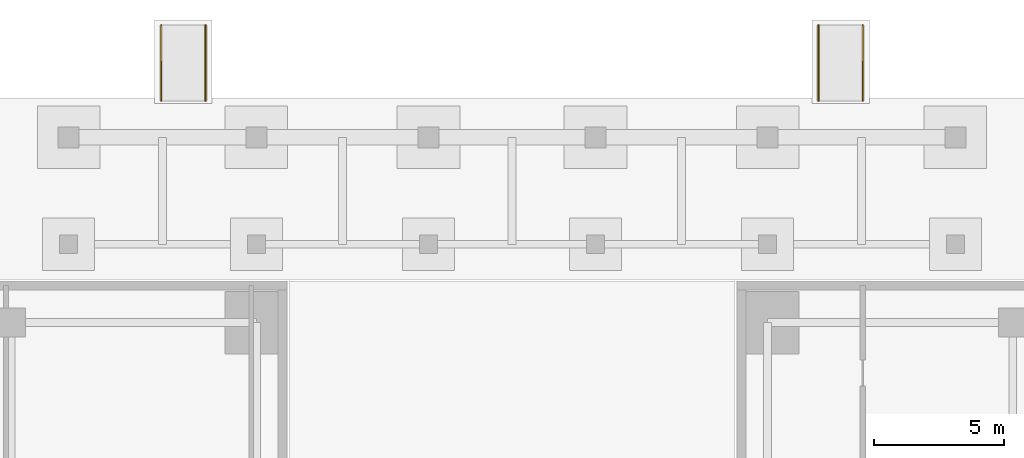
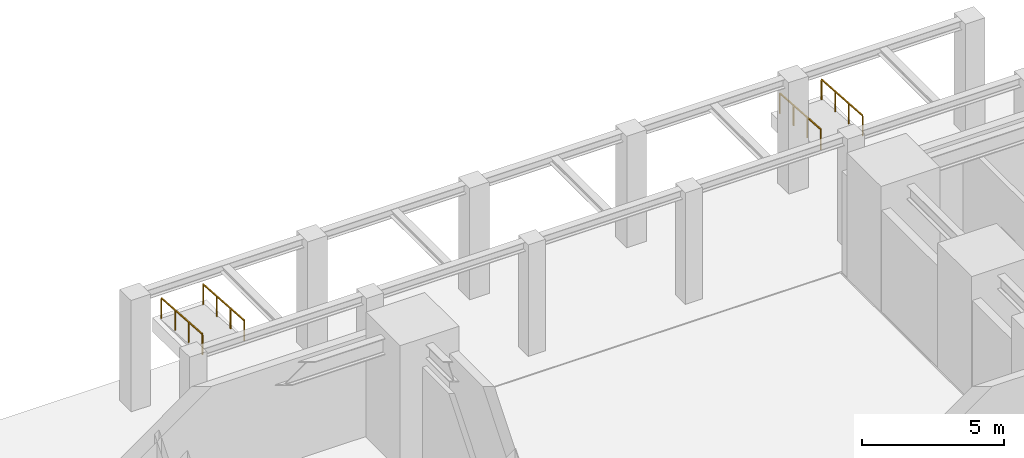
# One storey, part 10 of 11: 4 railings.
"""IFC4 building model written with IfcOpenShell, lengths in metres."""

from ifc_helpers import new_model, si_unit, direction, frame, origin, origin_2d, place, context, subcontext, project, spatial, rectangle, extrude, material, type_object, element, save


model = new_model("IFC4")

# Units and contexts
model_context = context("Model", 3, precision=1e-05, world=origin(), true_north=direction((0.0, 1.0)))
body_context = subcontext(model_context, "Body", "Model", "MODEL_VIEW")
ifc_project = project(units=[si_unit("LENGTHUNIT", "METRE"), si_unit("AREAUNIT", "SQUARE_METRE"), si_unit("VOLUMEUNIT", "CUBIC_METRE"), si_unit("PLANEANGLEUNIT", "RADIAN"), si_unit("MASSUNIT", "GRAM", prefix="KILO"), si_unit("THERMODYNAMICTEMPERATUREUNIT", "KELVIN"), si_unit("POWERUNIT", "WATT")], contexts=[model_context])

# Site, building, storey
site_placement = place(None, origin())
site = spatial("IfcSite", under=ifc_project, at=site_placement, CompositionType="ELEMENT")
building_placement = place(site_placement, origin())
building = spatial("IfcBuilding", under=site, at=building_placement, Name="Ocrelia Relay Tower", CompositionType="ELEMENT")
storey_placement = place(building_placement, origin())
storey = spatial("IfcBuildingStorey", under=building, at=storey_placement, Name="L00", CompositionType="ELEMENT", Elevation=0.0)

# Railings
ifc_material = material(Name="Steel S355 tubular handrail", Category="steel")
railing_type = type_object("IfcRailingType", Name="RL-STAIR-HAND", PredefinedType="HANDRAIL", material=ifc_material)
for number, where, name in (
    (1, (20.550048828125, 61.800048828125, -0.199951171875), "Accessibility Ramp Handrail ARP-N1-1"),
    (2, (22.25, 61.800048828125, -0.199951171875), "Accessibility Ramp Handrail ARP-N1-2"),
    (3, (45.75, 61.800048828125, -0.199951171875), "Accessibility Ramp Handrail ARP-N2-1"),
    (4, (47.449951171875, 61.800048828125, -0.199951171875), "Accessibility Ramp Handrail ARP-N2-2"),
):
    element("IfcRailing", number, at=place(storey_placement, frame(where)), inside=storey, type_object=railing_type, Name=name, PredefinedType="HANDRAIL", context=body_context, shape_type="SweptSolid", body=[
        extrude(rectangle(XDim=0.048095703125, YDim=0.048095703125, at=origin_2d()), frame((0.0, 0.0, 0.8759765625), z_axis=(0.0, -0.99763171965, 0.068781915851), x_axis=(1.0, 0.0, 0.0)), (0.0, 0.0, 1.0), 2.906982421875),
        extrude(rectangle(XDim=0.0419921875, YDim=0.0419921875, at=origin_2d()), origin(), (0.0, 0.0, 1.0), 0.851806640625),
        extrude(rectangle(XDim=0.0419921875, YDim=0.0419921875, at=origin_2d()), frame((0.0, -0.966796875, 0.066650390625)), (0.0, 0.0, 1.0), 0.851806640625),
        extrude(rectangle(XDim=0.0419921875, YDim=0.0419921875, at=origin_2d()), frame((0.0, -1.933349609375, 0.13330078125)), (0.0, 0.0, 1.0), 0.851806640625),
        extrude(rectangle(XDim=0.0419921875, YDim=0.0419921875, at=origin_2d()), frame((0.0, -2.900146484375, 0.199951171875)), (0.0, 0.0, 1.0), 0.851806640625),
    ])

save(model, "model.ifc")
